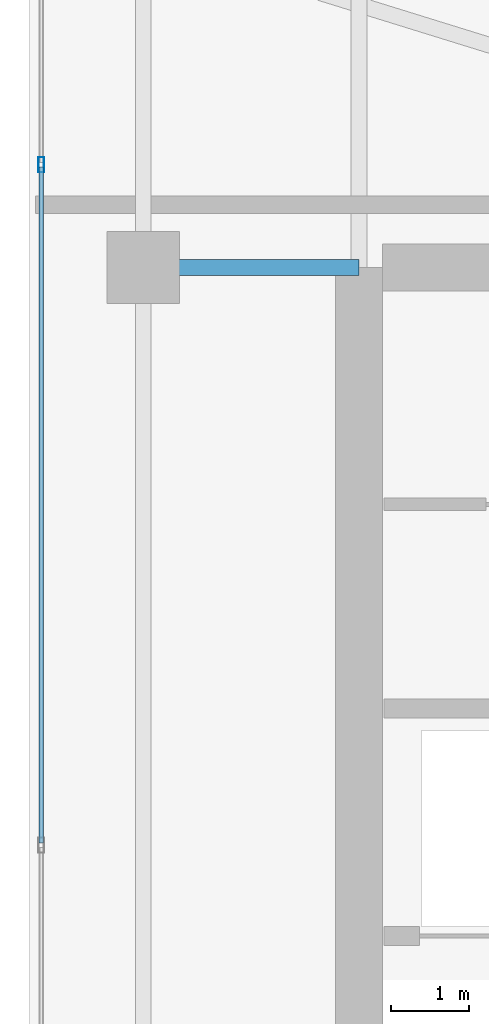
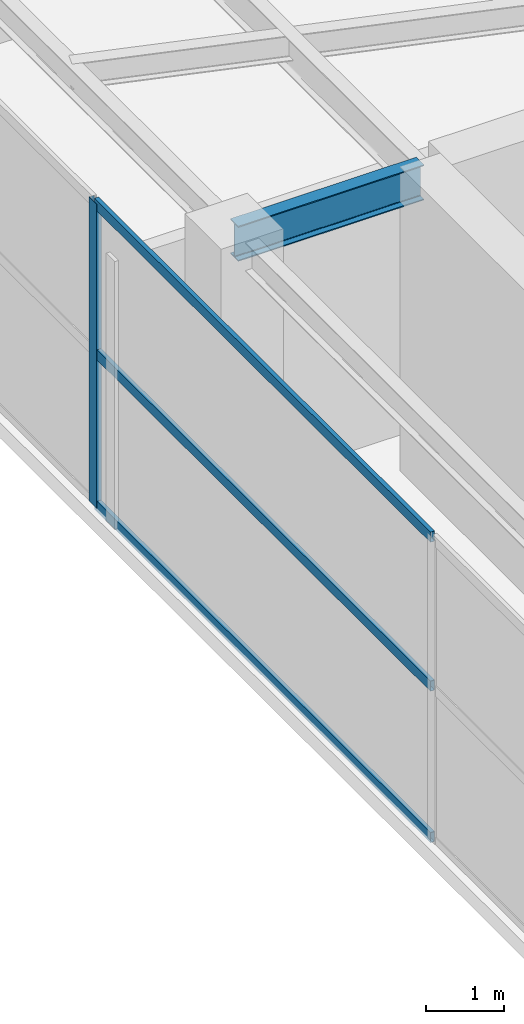
# One storey, part 14 of 22: 4 members, 1 beam, 1 element without a shape of its own.
"""IFC4 building model written with IfcOpenShell, lengths in metres."""

from ifc_helpers import new_model, si_unit, direction, frame, origin, origin_2d, place, context, subcontext, project, spatial, hollow_rectangle, i_section, extrude, material, layer, layer_set, material_profile, profile_set, type_object, element, aggregate, save


model = new_model("IFC4")

# Units and contexts
model_context = context("Model", 3, precision=1e-05, world=origin(), true_north=direction((0.0, 1.0)))
body_context = subcontext(model_context, "Body", "Model", "MODEL_VIEW")
ifc_project = project(units=[si_unit("LENGTHUNIT", "METRE"), si_unit("AREAUNIT", "SQUARE_METRE"), si_unit("VOLUMEUNIT", "CUBIC_METRE"), si_unit("PLANEANGLEUNIT", "RADIAN"), si_unit("MASSUNIT", "GRAM", prefix="KILO")], contexts=[model_context])

# Site, building, storey
site_placement = place(None, origin())
site = spatial("IfcSite", under=ifc_project, at=site_placement, CompositionType="ELEMENT")
building_placement = place(site_placement, origin())
building = spatial("IfcBuilding", under=site, at=building_placement, Name="Calvorn Quay Hotel", CompositionType="ELEMENT")
storey_placement = place(building_placement, frame((0.0, 0.0, 325.5)))
storey = spatial("IfcBuildingStorey", under=building, at=storey_placement, Name="L80", CompositionType="ELEMENT", Elevation=325.5)

# Beam
ifc_material_1 = material(Name="Steel Q355B", Category="steel")
ifc_material_profile_1 = material_profile(ifc_material_1, i_section(OverallWidth=0.199951171875, OverallDepth=0.550048828125, WebThickness=0.010009765625, FlangeThickness=0.01611328125, FilletRadius=0.01806640625, at=origin_2d()), Name="HN550x200x10x16")
ifc_profile_set_1 = profile_set([ifc_material_profile_1], Name="Steel Q355B")
beam_type = type_object("IfcBeamType", Name="BM-GIRD-UPP", PredefinedType="BEAM", material=ifc_profile_set_1)
beam_placement = place(storey_placement, frame((1.449951171875, 38.39990234375, 4.465087890625), z_axis=(1.0, 0.0, 0.0), x_axis=(0.0, 1.0, 0.0)))
element("IfcBeam", 1, at=beam_placement, inside=storey, type_object=beam_type, Name="Beam BG-L80-W3", PredefinedType="BEAM", context=body_context, shape_type="SweptSolid", body=[
    extrude(i_section(OverallWidth=0.199951171875, OverallDepth=0.550048828125, WebThickness=0.010009765625, FlangeThickness=0.01611328125, FilletRadius=0.01806640625, at=origin_2d()), origin(), (0.0, 0.0, 1.0), 2.75),
])

# Curtain wall, members
ifc_material_2 = material(Name="Pale Anodised Aluminium and Laminated Glass", Category="aluminium")
ifc_layer = layer(ifc_material_2, 0.219970703125)
ifc_layer_set = layer_set([ifc_layer], Name="CW-SYS-CRN")
curtain_wall_type = type_object("IfcCurtainWallType", Name="CW-SYS-CRN", PredefinedType="NOTDEFINED", material=ifc_layer_set)
curtain_wall_placement = place(storey_placement, origin())
curtain_wall = element("IfcCurtainWall", 2, at=curtain_wall_placement, inside=storey, type_object=curtain_wall_type, Name="Crown Curtain Wall L80-C5", PredefinedType="NOTDEFINED")
ifc_material_3 = material(Name="Pale Anodised Aluminium 6063-T6", Category="aluminium")
ifc_material_profile_2 = material_profile(ifc_material_3, hollow_rectangle(XDim=0.072021484375, YDim=0.195068359375, WallThickness=0.00390625, at=origin_2d()), Name="ALU-M195x72x4")
ifc_profile_set_2 = profile_set([ifc_material_profile_2], Name="Pale Anodised Aluminium 6063-T6")
member_type_1 = type_object("IfcMemberType", Name="CW-SYS-CRN-MUL", PredefinedType="MULLION", material=ifc_profile_set_2)
member_1_placement = place(storey_placement, frame((0.14990234375, 39.7080078125, 0.0), z_axis=(0.0, 0.0, 1.0), x_axis=(1.0, 0.0, 0.0)))
member_1 = element("IfcMember", 3, at=member_1_placement, type_object=member_type_1, Name="CW-L80-C5 mullion 2", PredefinedType="MULLION", context=body_context, shape_type="SweptSolid", body=[
    extrude(hollow_rectangle(XDim=0.072021484375, YDim=0.195068359375, WallThickness=0.00390625, at=origin_2d()), origin(), (0.0, 0.0, 1.0), 4.760009765625),
])
ifc_material_4 = material(Name="Pale Anodised Aluminium 6063-T6", Category="aluminium")
ifc_material_profile_3 = material_profile(ifc_material_4, hollow_rectangle(XDim=0.06201171875, YDim=0.159912109375, WallThickness=0.00341796875, at=origin_2d()), Name="ALU-T160x62x3.5")
ifc_profile_set_3 = profile_set([ifc_material_profile_3], Name="Pale Anodised Aluminium 6063-T6")
member_type_2 = type_object("IfcMemberType", Name="CW-SYS-CRN-TRN", PredefinedType="USERDEFINED", material=ifc_profile_set_3)
member_2_placement = place(storey_placement, frame((0.14990234375, 39.677978515625, 0.030029296875), z_axis=(0.0, -1.0, 0.0), x_axis=(1.0, 0.0, 0.0)))
member_2 = element("IfcMember", 4, at=member_2_placement, type_object=member_type_2, Name="CW-L80-C5 transom 2.1", ObjectType="TRANSOM", PredefinedType="USERDEFINED", context=body_context, shape_type="SweptSolid", body=[
    extrude(hollow_rectangle(XDim=0.06201171875, YDim=0.159912109375, WallThickness=0.00341796875, at=origin_2d()), origin(), (0.0, 0.0, 1.0), 8.612060546875),
])
member_3_placement = place(storey_placement, frame((0.14990234375, 39.677978515625, 2.39990234375), z_axis=(0.0, -1.0, 0.0), x_axis=(1.0, 0.0, 0.0)))
member_3 = element("IfcMember", 5, at=member_3_placement, type_object=member_type_2, Name="CW-L80-C5 transom 2.2", ObjectType="TRANSOM", PredefinedType="USERDEFINED", context=body_context, shape_type="SweptSolid", body=[
    extrude(hollow_rectangle(XDim=0.06201171875, YDim=0.159912109375, WallThickness=0.00341796875, at=origin_2d()), origin(), (0.0, 0.0, 1.0), 8.612060546875),
])
member_4_placement = place(storey_placement, frame((0.14990234375, 39.677978515625, 4.72998046875), z_axis=(0.0, -1.0, 0.0), x_axis=(1.0, 0.0, 0.0)))
member_4 = element("IfcMember", 6, at=member_4_placement, type_object=member_type_2, Name="CW-L80-C5 transom 2.3", ObjectType="TRANSOM", PredefinedType="USERDEFINED", context=body_context, shape_type="SweptSolid", body=[
    extrude(hollow_rectangle(XDim=0.06201171875, YDim=0.159912109375, WallThickness=0.00341796875, at=origin_2d()), origin(), (0.0, 0.0, 1.0), 8.612060546875),
])
aggregate(curtain_wall, [member_1, member_2, member_3, member_4])

save(model, "model.ifc")
